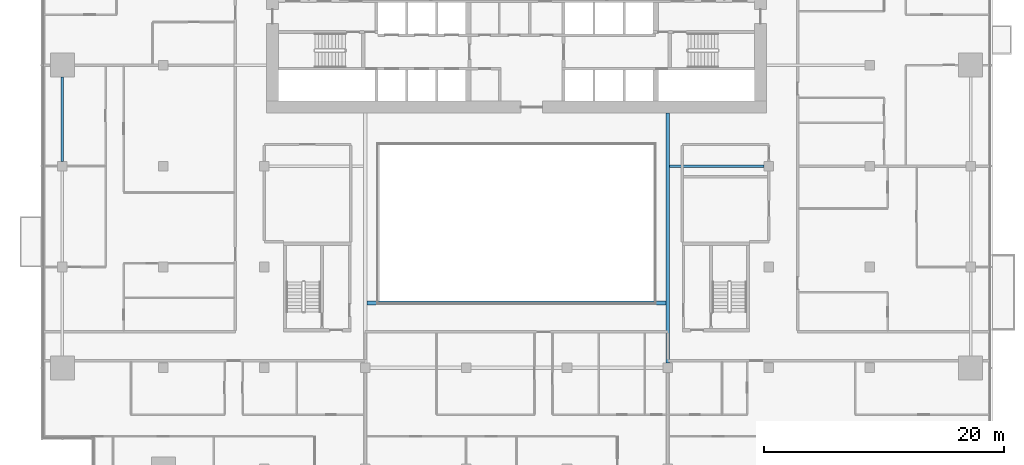
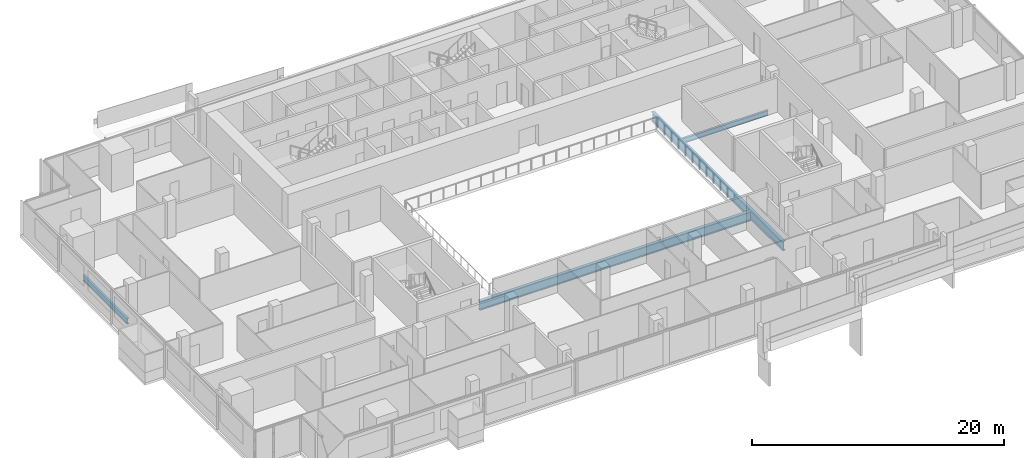
# One storey, part 7 of 27: 4 beams.
"""IFC4 building model written with IfcOpenShell, lengths in metres."""

import ifcopenshell
import ifcopenshell.guid

model = None  # the IFC model being written
_history = None  # IfcOwnerHistory: only IFC2X3 demands one
_inside = {}  # id of a spatial element -> (the spatial element, [elements in it])
_under = {}  # id of a project, library or spatial element -> (it, [spatial elements below it])
_declared = {}  # id of a project -> (the project, [libraries it declares])
_typed = {}  # id of a type object -> (the type object, [elements of that type])
_made_of = {}  # id of a material, layer set ... -> (it, [elements and type objects made of it])


def new_model(schema):
    """Start an empty IFC model of exactly this schema.

    Asked for "IFC4X3", IfcOpenShell would pick the latest addendum, in which some entities
    have other attributes; the version numbers below select the first issue.
    IFC2X3 requires an IfcOwnerHistory on every rooted entity: one is made here for all.
    """
    global model, _history
    if schema == "IFC4X3":
        model = ifcopenshell.file(schema_version=(4, 3, 0, 0))
    else:
        model = ifcopenshell.file(schema=schema)
    _inside.clear()
    _under.clear()
    _declared.clear()
    _typed.clear()
    _made_of.clear()
    _history = None
    if model.schema == "IFC2X3":
        org = make("IfcOrganization", Name="unknown")
        user = make(
            "IfcPersonAndOrganization",
            ThePerson=make("IfcPerson", FamilyName="unknown"),
            TheOrganization=org,
        )
        app = make(
            "IfcApplication",
            ApplicationDeveloper=org,
            Version="unknown",
            ApplicationFullName="unknown",
            ApplicationIdentifier="unknown",
        )
        _history = make(
            "IfcOwnerHistory",
            OwningUser=user,
            OwningApplication=app,
            ChangeAction="ADDED",
            CreationDate=0,
        )
    return model


def make(cls, **values):
    """One entity of the class cls with the attributes given. An attribute that is None is left unset."""
    return model.create_entity(
        cls, **{name: value for name, value in values.items() if value is not None}
    )


def rooted(cls, **values):
    """An entity with a GlobalId (a new one), such as an element, a storey or a relation."""
    return make(cls, GlobalId=ifcopenshell.guid.new(), OwnerHistory=_history, **values)


def si_unit(unit_type, name, prefix=None):
    """IfcSIUnit, for example si_unit("LENGTHUNIT", "METRE", prefix="MILLI")."""
    return make("IfcSIUnit", UnitType=unit_type, Prefix=prefix, Name=name)


def assignment(units):
    """IfcUnitAssignment: the units of a project."""
    return None if units is None else make("IfcUnitAssignment", Units=units)


def point(xyz):
    """IfcCartesianPoint."""
    return None if xyz is None else make("IfcCartesianPoint", Coordinates=xyz)


def direction(xyz):
    """IfcDirection."""
    return None if xyz is None else make("IfcDirection", DirectionRatios=xyz)


def frame(location, z_axis=None, x_axis=None):
    """IfcAxis2Placement3D, a coordinate frame: its origin and axes. An axis left out is left unset."""
    return make(
        "IfcAxis2Placement3D",
        Location=point(location),
        Axis=direction(z_axis),
        RefDirection=direction(x_axis),
    )


def frame_2d(location, x_axis=None):
    """IfcAxis2Placement2D, a coordinate frame in the plane: its origin and x axis."""
    return make(
        "IfcAxis2Placement2D", Location=point(location), RefDirection=direction(x_axis)
    )


def origin():
    """The frame at (0, 0, 0) with its axes left unset."""
    return frame((0.0, 0.0, 0.0))


def origin_2d():
    """The frame at (0, 0) in the plane with its x axis left unset."""
    return frame_2d((0.0, 0.0))


def place(relative_to, where):
    """IfcLocalPlacement: puts the frame where relative to a parent placement (None: the world)."""
    return make(
        "IfcLocalPlacement", PlacementRelTo=relative_to, RelativePlacement=where
    )


def context(
    kind, dimensions, precision=None, world=None, true_north=None, identifier=None
):
    """IfcGeometricRepresentationContext, for example the 3D "Model" context."""
    return make(
        "IfcGeometricRepresentationContext",
        ContextIdentifier=identifier,
        ContextType=kind,
        CoordinateSpaceDimension=dimensions,
        Precision=precision,
        WorldCoordinateSystem=world,
        TrueNorth=true_north,
    )


def subcontext(parent, identifier, kind, view, scale=None):
    """IfcGeometricRepresentationSubContext, for example "Body" below "Model"."""
    return make(
        "IfcGeometricRepresentationSubContext",
        ContextIdentifier=identifier,
        ContextType=kind,
        ParentContext=parent,
        TargetScale=scale,
        TargetView=view,
    )


def project(units=None, contexts=None):
    """IfcProject with its units and contexts."""
    return rooted(
        "IfcProject",
        Name="project",
        RepresentationContexts=contexts,
        UnitsInContext=assignment(units),
    )


def spatial(cls, under=None, at=None, **own):
    """A site, building, storey or space (cls), placed at a placement, below another one or the project."""
    s = rooted(cls, ObjectPlacement=at, **own)
    if under is not None:
        _under.setdefault(under.id(), (under, []))[1].append(s)
    return s


def profile(cls, at=None, kind="AREA", **sizes):
    """A parametric profile (cls). Its sizes go by their IFC names, for example OverallWidth=200.0."""
    return make(cls, ProfileType=kind, Position=at, **sizes)


def i_section(**sizes):
    """IfcIShapeProfileDef."""
    return profile("IfcIShapeProfileDef", **sizes)


def extrude(swept, where, along, depth):
    """IfcExtrudedAreaSolid: the profile swept, set in the frame where, extruded along a direction by depth."""
    return make(
        "IfcExtrudedAreaSolid",
        SweptArea=swept,
        Position=where,
        ExtrudedDirection=direction(along),
        Depth=depth,
    )


def shape(context_of_items, identifier, shape_type, items):
    """IfcShapeRepresentation: the items that make up one representation, for example the "Body"."""
    return make(
        "IfcShapeRepresentation",
        ContextOfItems=context_of_items,
        RepresentationIdentifier=identifier,
        RepresentationType=shape_type,
        Items=items,
    )


def material(Name=None, Category=None):
    """IfcMaterial."""
    return make("IfcMaterial", Name=Name, Category=Category)


def material_profile(
    of_material, cross_section, Name=None, Category=None, Priority=None
):
    """IfcMaterialProfile: a cross section and its material."""
    return make(
        "IfcMaterialProfile",
        Name=Name,
        Material=of_material,
        Profile=cross_section,
        Priority=Priority,
        Category=Category,
    )


def profile_set(profiles, Name=None, composite=None):
    """IfcMaterialProfileSet."""
    return make(
        "IfcMaterialProfileSet",
        Name=Name,
        MaterialProfiles=profiles,
        CompositeProfile=composite,
    )


def made_of(thing, what):
    """Note that an element or type object is made of a material, layer set ...; save() writes the relation."""
    if what is not None:
        _made_of.setdefault(what.id(), (what, []))[1].append(thing)
    return thing


def type_object(cls, material=None, **own):
    """A type object (cls), such as IfcWallType, which elements share."""
    return made_of(rooted(cls, **own), material)


def element(
    cls,
    number,
    at=None,
    inside=None,
    cuts=None,
    type_object=None,
    material=None,
    context=None,
    identifier="Body",
    shape_type=None,
    held_by="IfcProductDefinitionShape",
    body=None,
    shapes=None,
    **own,
):
    """One element of the class cls, such as IfcWall. Its Tag is "e" and its number.

    at: its placement. inside: the storey or other place that contains it. cuts: it is an
    opening in that element (IfcRelVoidsElement). A single representation is given by context,
    identifier, shape_type and body (its items); several are given by shapes. held_by: the class
    of the entity that holds the representations. save() writes the other relations.
    """
    e = rooted(cls, Tag="e%d" % number, ObjectPlacement=at, **own)
    if body is not None:
        shapes = [shape(context, identifier, shape_type, body)]
    if shapes is not None:
        e.Representation = make(held_by, Representations=shapes)
    if inside is not None:
        _inside.setdefault(inside.id(), (inside, []))[1].append(e)
    if cuts is not None:
        rooted(
            "IfcRelVoidsElement", RelatingBuildingElement=cuts, RelatedOpeningElement=e
        )
    if type_object is not None:
        _typed.setdefault(type_object.id(), (type_object, []))[1].append(e)
    return made_of(e, material)


def aggregate(whole, parts):
    """IfcRelAggregates: a whole, such as a stair, and the parts it consists of."""
    return rooted("IfcRelAggregates", RelatingObject=whole, RelatedObjects=parts)


def save(model, path):
    """Write the relations noted so far, then the file.

    IfcRelAggregates (storeys below a building ...), IfcRelContainedInSpatialStructure (elements
    in a storey), IfcRelDefinesByType, IfcRelAssociatesMaterial and IfcRelDeclares: one each for
    every whole, place, type object, material and project.
    """
    for whole, parts in _under.values():
        aggregate(whole, parts)
    for where, things in _inside.values():
        rooted(
            "IfcRelContainedInSpatialStructure",
            RelatedElements=things,
            RelatingStructure=where,
        )
    for kind, things in _typed.values():
        rooted("IfcRelDefinesByType", RelatedObjects=things, RelatingType=kind)
    for what, things in _made_of.values():
        rooted("IfcRelAssociatesMaterial", RelatedObjects=things, RelatingMaterial=what)
    for by, libraries in _declared.values():
        rooted("IfcRelDeclares", RelatingContext=by, RelatedDefinitions=libraries)
    model.write(path)


model = new_model("IFC4")

# Units and contexts
model_context = context("Model", 3, precision=1e-05, world=origin(), true_north=direction((0.0, 1.0)))
body_context = subcontext(model_context, "Body", "Model", "MODEL_VIEW")
ifc_project = project(units=[si_unit("LENGTHUNIT", "METRE"), si_unit("AREAUNIT", "SQUARE_METRE"), si_unit("VOLUMEUNIT", "CUBIC_METRE"), si_unit("PLANEANGLEUNIT", "RADIAN"), si_unit("MASSUNIT", "GRAM", prefix="KILO")], contexts=[model_context])

# Site, building, storey
site_placement = place(None, origin())
site = spatial("IfcSite", under=ifc_project, at=site_placement, CompositionType="ELEMENT")
building_placement = place(site_placement, origin())
building = spatial("IfcBuilding", under=site, at=building_placement, Name="Saffron Gate Tower", CompositionType="ELEMENT")
storey_placement = place(building_placement, frame((0.0, 0.0, 124.050048828125)))
storey = spatial("IfcBuildingStorey", under=building, at=storey_placement, Name="L29", CompositionType="ELEMENT", Elevation=124.050048828125)

# Beams
ifc_material = material(Name="Structural steel S355", Category="steel")
ifc_material_profile_1 = material_profile(ifc_material, i_section(OverallWidth=0.199951171875, OverallDepth=0.5, WebThickness=0.01025390625, FlangeThickness=0.01611328125, FilletRadius=0.02099609375, at=origin_2d()))
ifc_profile_set_1 = profile_set([ifc_material_profile_1], Name="Structural steel S355")
beam_type_1 = type_object("IfcBeamType", Name="B10 IPE 500", PredefinedType="BEAM", material=ifc_profile_set_1)
beam_1_placement = place(storey_placement, frame((108.199951171875, 57.0, -0.530029296875), z_axis=(-1.0, 0.0, 0.0), x_axis=(0.0, -1.0, 0.0)))
element("IfcBeam", 1, at=beam_1_placement, inside=storey, type_object=beam_type_1, Name="B10 CORE TIE BEAM", PredefinedType="BEAM", context=body_context, shape_type="SweptSolid", body=[
    extrude(i_section(OverallWidth=0.199951171875, OverallDepth=0.5, WebThickness=0.01025390625, FlangeThickness=0.01611328125, FilletRadius=0.02099609375, at=origin_2d()), origin(), (0.0, 0.0, 1.0), 7.849853515625),
])
ifc_material_profile_2 = material_profile(ifc_material, i_section(OverallWidth=0.2099609375, OverallDepth=0.550048828125, WebThickness=0.010986328125, FlangeThickness=0.01708984375, FilletRadius=0.02392578125, at=origin_2d()))
ifc_profile_set_2 = profile_set([ifc_material_profile_2], Name="Structural steel S355")
beam_type_2 = type_object("IfcBeamType", Name="B13 IPE 550", PredefinedType="SPANDREL", material=ifc_profile_set_2)
beam_2_placement = place(storey_placement, frame((49.800048828125, 57.39990234375, -0.554931640625), z_axis=(0.0, 1.0, 0.0), x_axis=(-1.0, 0.0, 0.0)))
element("IfcBeam", 2, at=beam_2_placement, inside=storey, type_object=beam_type_2, Name="B13 SPANDREL BEAM", PredefinedType="SPANDREL", context=body_context, shape_type="SweptSolid", body=[
    extrude(i_section(OverallWidth=0.2099609375, OverallDepth=0.550048828125, WebThickness=0.010986328125, FlangeThickness=0.01708984375, FilletRadius=0.02392578125, at=origin_2d()), origin(), (0.0, 0.0, 1.0), 7.0),
])
ifc_material_profile_3 = material_profile(ifc_material, i_section(OverallWidth=0.300048828125, OverallDepth=0.889892578125, WebThickness=0.01611328125, FlangeThickness=0.030029296875, FilletRadius=0.030029296875, at=origin_2d()))
ifc_profile_set_3 = profile_set([ifc_material_profile_3], Name="Structural steel S355")
beam_type_3 = type_object("IfcBeamType", Name="B19 HEA 900", PredefinedType="BEAM", material=ifc_profile_set_3)
beam_3_placement = place(storey_placement, frame((100.199951171875, 40.60009765625, -0.72509765625), z_axis=(0.0, 1.0, 0.0), x_axis=(-1.0, 0.0, 0.0)))
element("IfcBeam", 3, at=beam_3_placement, inside=storey, type_object=beam_type_3, Name="B19 ATRIUM GIRDER", PredefinedType="BEAM", context=body_context, shape_type="SweptSolid", body=[
    extrude(i_section(OverallWidth=0.300048828125, OverallDepth=0.889892578125, WebThickness=0.01611328125, FlangeThickness=0.030029296875, FilletRadius=0.030029296875, at=origin_2d()), origin(), (0.0, 0.0, 1.0), 20.7998046875),
])
beam_4_placement = place(storey_placement, frame((75.14990234375, 45.60009765625, -0.72509765625), z_axis=(1.0, 0.0, 0.0), x_axis=(0.0, 1.0, 0.0)))
element("IfcBeam", 4, at=beam_4_placement, inside=storey, type_object=beam_type_3, Name="B19 ATRIUM GIRDER", PredefinedType="BEAM", context=body_context, shape_type="SweptSolid", body=[
    extrude(i_section(OverallWidth=0.300048828125, OverallDepth=0.889892578125, WebThickness=0.01611328125, FlangeThickness=0.030029296875, FilletRadius=0.030029296875, at=origin_2d()), origin(), (0.0, 0.0, 1.0), 24.900146484375),
])

save(model, "model.ifc")
